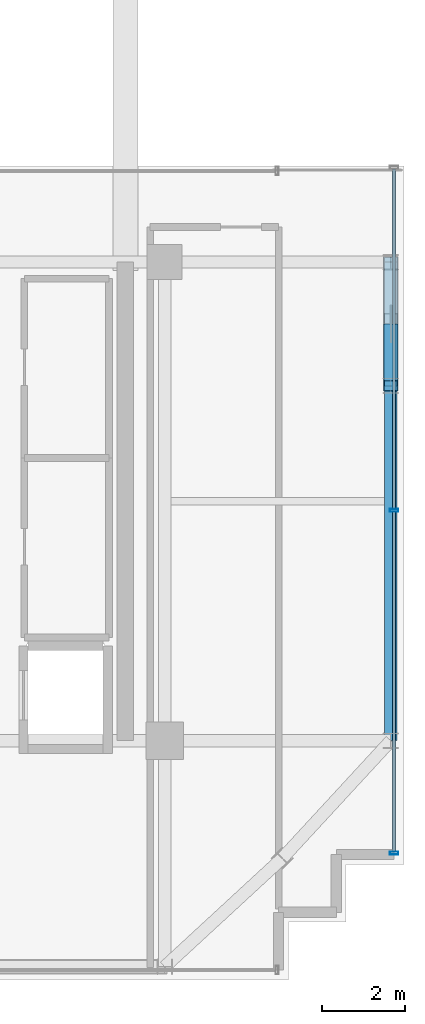
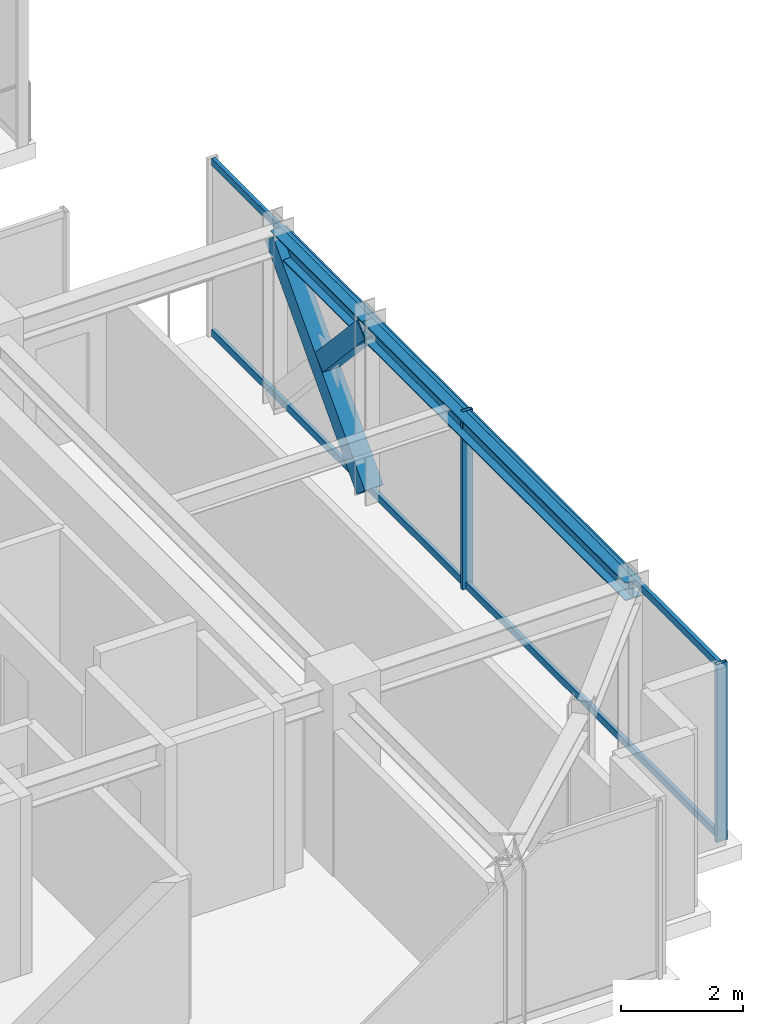
# One storey, part 18 of 40: 8 members, 2 beams, 1 element without a shape of its own.
"""IFC4 building model written with IfcOpenShell, lengths in metres."""

from ifc_helpers import new_model, si_unit, direction, frame, origin, origin_2d, place, context, subcontext, project, spatial, hollow_rectangle, i_section, extrude, source, transform, mapped, material, material_profile, profile_set, type_object, element, aggregate, save


model = new_model("IFC4")

# Units and contexts
model_context = context("Model", 3, precision=1e-05, world=origin(), true_north=direction((0.0, 1.0)))
body_context = subcontext(model_context, "Body", "Model", "MODEL_VIEW")
ifc_project = project(units=[si_unit("LENGTHUNIT", "METRE"), si_unit("AREAUNIT", "SQUARE_METRE"), si_unit("VOLUMEUNIT", "CUBIC_METRE"), si_unit("PLANEANGLEUNIT", "RADIAN"), si_unit("MASSUNIT", "GRAM", prefix="KILO")], contexts=[model_context])

# Site, building, storey
site_placement = place(None, origin())
site = spatial("IfcSite", under=ifc_project, at=site_placement, CompositionType="ELEMENT")
building_placement = place(site_placement, origin())
building = spatial("IfcBuilding", under=site, at=building_placement, Name="Nahalor Promenade Grand Hotel", CompositionType="ELEMENT")
storey_placement = place(building_placement, frame((0.0, 0.0, 288.800048828125)))
storey = spatial("IfcBuildingStorey", under=building, at=storey_placement, Name="L74", CompositionType="ELEMENT", Elevation=288.800048828125)

# Beams
ifc_material_1 = material(Name="Steel S355JR", Category="steel")
ifc_material_profile_1 = material_profile(ifc_material_1, i_section(OverallWidth=0.3, OverallDepth=0.36, WebThickness=0.0125, FlangeThickness=0.0225, at=origin_2d()), Name="HEB 360")
ifc_profile_set_1 = profile_set([ifc_material_profile_1], Name="Steel S355JR")
beam_type = type_object("IfcBeamType", Name="Beam-Spandrel-HEB360", PredefinedType="SPANDREL", material=ifc_profile_set_1)
shared_shape_1 = source(origin(), body_context, "Body", "SweptSolid", [
    extrude(i_section(OverallWidth=0.3, OverallDepth=0.36, WebThickness=0.0125, FlangeThickness=0.0225, at=origin_2d()), origin(), (0.0, 0.0, 1.0), 8.60009765625),
])
beam_1_placement = place(storey_placement, frame((22.47998046875, -17.0, 3.369873046875), z_axis=(0.0, 1.0, 0.0), x_axis=(-1.0, 0.0, 0.0)))
element("IfcBeam", 1, at=beam_1_placement, inside=storey, type_object=beam_type, Name="BM-L74-SP-E-0", PredefinedType="SPANDREL", context=body_context, shape_type="MappedRepresentation", body=[
    mapped(shared_shape_1, transform((0.0, 0.0, 0.0), scale=1.0)),
])
shared_shape_2 = source(origin(), body_context, "Body", "SweptSolid", [
    extrude(i_section(OverallWidth=0.3, OverallDepth=0.36, WebThickness=0.0125, FlangeThickness=0.0225, at=origin_2d()), origin(), (0.0, 0.0, 1.0), 3.0),
])
beam_2_placement = place(storey_placement, frame((22.47998046875, -8.39990234375, 3.369873046875), z_axis=(0.0, 1.0, 0.0), x_axis=(-1.0, 0.0, 0.0)))
element("IfcBeam", 2, at=beam_2_placement, inside=storey, type_object=beam_type, Name="BM-L74-SP-E-1", PredefinedType="SPANDREL", context=body_context, shape_type="MappedRepresentation", body=[
    mapped(shared_shape_2, transform((0.0, 0.0, 0.0), scale=1.0)),
])

# Members
ifc_material_profile_2 = material_profile(ifc_material_1, hollow_rectangle(XDim=0.35, YDim=0.35, WallThickness=0.02, at=origin_2d()), Name="SHS 350x350x20")
ifc_profile_set_2 = profile_set([ifc_material_profile_2], Name="Steel S355JR")
member_type_1 = type_object("IfcMemberType", Name="Mem-VoidBrace-SHS350", PredefinedType="BRACE", material=ifc_profile_set_2)
shared_shape_3 = source(origin(), body_context, "Body", "SweptSolid", [
    extrude(hollow_rectangle(XDim=0.35, YDim=0.35, WallThickness=0.02, at=origin_2d()), origin(), (0.0, 0.0, 1.0), 4.4228515625),
])
member_1_placement = place(storey_placement, frame((22.47998046875, -8.39990234375, 0.14990234375), z_axis=(0.0, 0.678280102733, 0.734803444627), x_axis=(-1.0, 0.0, 0.0)))
element("IfcMember", 3, at=member_1_placement, inside=storey, type_object=member_type_1, Name="EXO-L74-VX1-E0", PredefinedType="BRACE", context=body_context, shape_type="MappedRepresentation", body=[
    mapped(shared_shape_3, transform((0.0, 0.0, 0.0), scale=1.0)),
])
shared_shape_4 = source(origin(), body_context, "Body", "SweptSolid", [
    extrude(hollow_rectangle(XDim=0.35, YDim=0.35, WallThickness=0.02, at=origin_2d()), origin(), (0.0, 0.0, 1.0), 2.02392578125),
])
member_2_placement = place(storey_placement, frame((22.47998046875, -7.027099609375, 1.912841796875), z_axis=(0.0, -0.678315173958, 0.734771069639), x_axis=(1.0, 0.0, 0.0)))
element("IfcMember", 4, at=member_2_placement, inside=storey, type_object=member_type_1, Name="EXO-L74-VX2-E0B", PredefinedType="BRACE", context=body_context, shape_type="MappedRepresentation", body=[
    mapped(shared_shape_4, transform((0.0, 0.0, 0.0), scale=1.0)),
])

# Curtain wall, members
ifc_material_2 = material(Name="Anodised Bronze Aluminium EN AW-6063 T6", Category="aluminium")
curtain_wall_type = type_object("IfcCurtainWallType", Name="CW3 Elliptical-Void Collar Unitised Curtain Wall", PredefinedType="USERDEFINED", material=ifc_material_2)
curtain_wall_placement = place(storey_placement, origin())
curtain_wall = element("IfcCurtainWall", 5, at=curtain_wall_placement, inside=storey, type_object=curtain_wall_type, Name="L74 Curtain Wall CW-L74-E-1", ObjectType="UNITISED_CURTAIN_WALL", PredefinedType="USERDEFINED")
ifc_material_profile_3 = material_profile(ifc_material_2, hollow_rectangle(XDim=0.07, YDim=0.2, WallThickness=0.005, at=origin_2d()), Name="CWM 70x200x5")
ifc_profile_set_3 = profile_set([ifc_material_profile_3], Name="Anodised Bronze Aluminium EN AW-6063 T6")
member_type_2 = type_object("IfcMemberType", Name="CWM3 Void Collar Mullion 70x200", PredefinedType="MULLION", material=ifc_profile_set_3)
shared_shape_5 = source(origin(), body_context, "Body", "SweptSolid", [
    extrude(hollow_rectangle(XDim=0.07, YDim=0.2, WallThickness=0.005, at=origin_2d()), origin(), (0.0, 0.0, 1.0), 3.550048828125),
])
member_3_placement = place(storey_placement, frame((22.56005859375, -19.72509765625, 0.0), z_axis=(0.0, 0.0, 1.0), x_axis=(0.0, 1.0, 0.0)))
member_3 = element("IfcMember", 6, at=member_3_placement, type_object=member_type_2, Name="CW-L74-E-1 Mullion 0", PredefinedType="MULLION", context=body_context, shape_type="MappedRepresentation", body=[
    mapped(shared_shape_5, transform((0.0, 0.0, 0.0), scale=1.0)),
])
member_4_placement = place(storey_placement, frame((22.56005859375, -11.41552734375, 0.0), z_axis=(0.0, 0.0, 1.0), x_axis=(0.0, 1.0, 0.0)))
member_4 = element("IfcMember", 7, at=member_4_placement, type_object=member_type_2, Name="CW-L74-E-1 Mullion 1", PredefinedType="MULLION", context=body_context, shape_type="MappedRepresentation", body=[
    mapped(shared_shape_5, transform((0.0, 0.0, 0.0), scale=1.0)),
])
ifc_material_profile_4 = material_profile(ifc_material_2, hollow_rectangle(XDim=0.07, YDim=0.14, WallThickness=0.004, at=origin_2d()), Name="CWT 70x140x4")
ifc_profile_set_4 = profile_set([ifc_material_profile_4], Name="Anodised Bronze Aluminium EN AW-6063 T6")
member_type_3 = type_object("IfcMemberType", Name="CWT3 Void Collar Transom 70x140", PredefinedType="USERDEFINED", material=ifc_profile_set_4)
shared_shape_6 = source(origin(), body_context, "Body", "SweptSolid", [
    extrude(hollow_rectangle(XDim=0.07, YDim=0.14, WallThickness=0.004, at=origin_2d()), origin(), (0.0, 0.0, 1.0), 8.239501953125),
])
member_5_placement = place(storey_placement, frame((22.56005859375, -19.68994140625, 0.070068359375), z_axis=(0.0, 1.0, 0.0), x_axis=(-1.0, 0.0, 0.0)))
member_5 = element("IfcMember", 8, at=member_5_placement, type_object=member_type_3, Name="CW-L74-E-1 Transom 0-0", ObjectType="TRANSOM", PredefinedType="USERDEFINED", context=body_context, shape_type="MappedRepresentation", body=[
    mapped(shared_shape_6, transform((0.0, 0.0, 0.0), scale=1.0)),
])
member_6_placement = place(storey_placement, frame((22.56005859375, -19.68994140625, 3.47998046875), z_axis=(0.0, 1.0, 0.0), x_axis=(-1.0, 0.0, 0.0)))
member_6 = element("IfcMember", 9, at=member_6_placement, type_object=member_type_3, Name="CW-L74-E-1 Transom 0-1", ObjectType="TRANSOM", PredefinedType="USERDEFINED", context=body_context, shape_type="MappedRepresentation", body=[
    mapped(shared_shape_6, transform((0.0, 0.0, 0.0), scale=1.0)),
])
member_7_placement = place(storey_placement, frame((22.56005859375, -11.380615234375, 0.070068359375), z_axis=(0.0, 1.0, 0.0), x_axis=(-1.0, 0.0, 0.0)))
member_7 = element("IfcMember", 10, at=member_7_placement, type_object=member_type_3, Name="CW-L74-E-1 Transom 1-0", ObjectType="TRANSOM", PredefinedType="USERDEFINED", context=body_context, shape_type="MappedRepresentation", body=[
    mapped(shared_shape_6, transform((0.0, 0.0, 0.0), scale=1.0)),
])
member_8_placement = place(storey_placement, frame((22.56005859375, -11.380615234375, 3.47998046875), z_axis=(0.0, 1.0, 0.0), x_axis=(-1.0, 0.0, 0.0)))
member_8 = element("IfcMember", 11, at=member_8_placement, type_object=member_type_3, Name="CW-L74-E-1 Transom 1-1", ObjectType="TRANSOM", PredefinedType="USERDEFINED", context=body_context, shape_type="MappedRepresentation", body=[
    mapped(shared_shape_6, transform((0.0, 0.0, 0.0), scale=1.0)),
])
aggregate(curtain_wall, [member_3, member_4, member_5, member_6, member_7, member_8])

save(model, "model.ifc")
